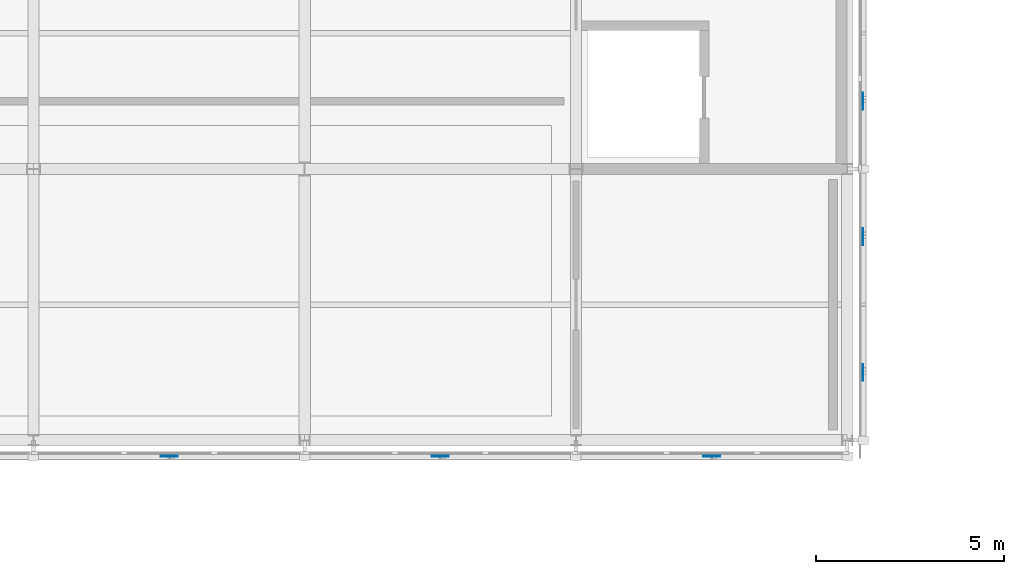
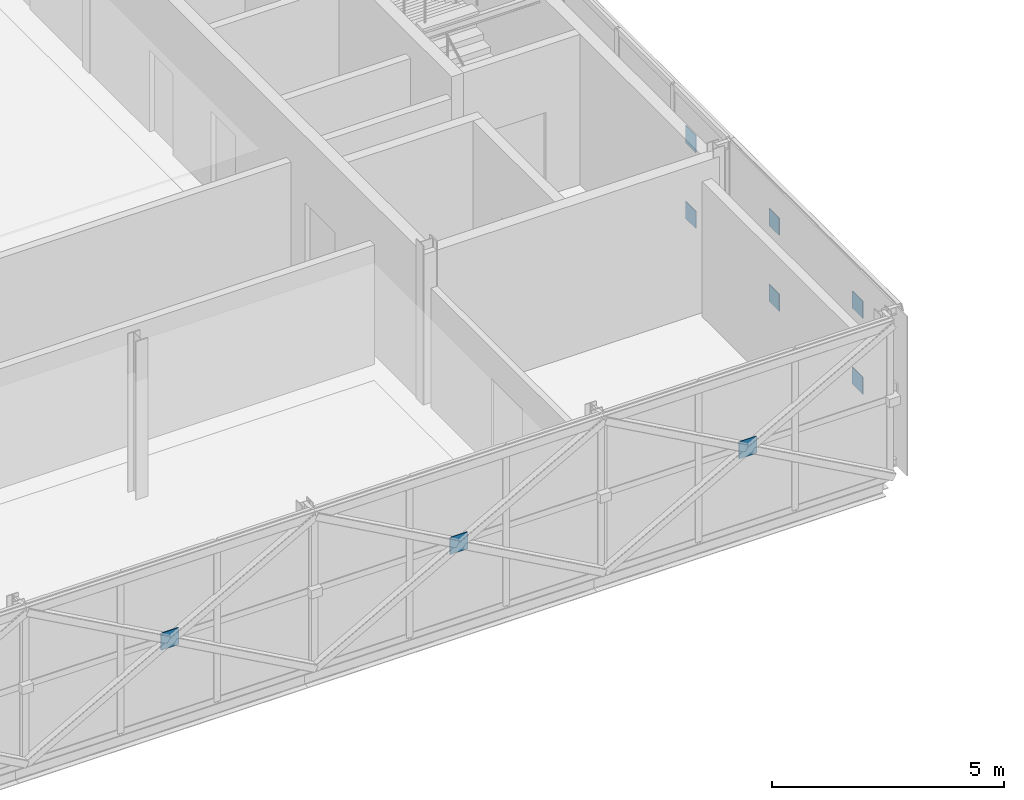
# One storey, part 82 of 103: 9 plates.
"""IFC4 building model written with IfcOpenShell, lengths in metres."""

from ifc_helpers import new_model, si_unit, direction, frame, origin, origin_2d, place, context, subcontext, project, spatial, rectangle, extrude, material, layer, layer_set, type_object, element, save


model = new_model("IFC4")

# Units and contexts
model_context = context("Model", 3, precision=1e-05, world=origin(), true_north=direction((0.0, 1.0)))
body_context = subcontext(model_context, "Body", "Model", "MODEL_VIEW")
ifc_project = project(units=[si_unit("LENGTHUNIT", "METRE"), si_unit("AREAUNIT", "SQUARE_METRE"), si_unit("VOLUMEUNIT", "CUBIC_METRE"), si_unit("PLANEANGLEUNIT", "RADIAN"), si_unit("MASSUNIT", "GRAM", prefix="KILO")], contexts=[model_context])

# Site, building, storey
site_placement = place(None, origin())
site = spatial("IfcSite", under=ifc_project, at=site_placement, CompositionType="ELEMENT")
building_placement = place(site_placement, origin())
building = spatial("IfcBuilding", under=site, at=building_placement, Name="Zlatovets Crest Museum", CompositionType="ELEMENT")
storey_placement = place(building_placement, frame((0.0, 0.0, 12.89990234375)))
storey = spatial("IfcBuildingStorey", under=building, at=storey_placement, Name="L03", CompositionType="ELEMENT", Elevation=12.89990234375)

# Plates
ifc_material = material(Name="Structural steel S355J2", Category="steel")
ifc_layer = layer(ifc_material, 0.02001953125)
ifc_layer_set = layer_set([ifc_layer], Name="Structural steel S355J2")
plate_type = type_object("IfcPlateType", Name="Gusset_GP-04", PredefinedType="USERDEFINED", material=ifc_layer_set)
for number, where, z_axis, x_axis, name in (
    (1, (90.0, 85.97998046875, 1.875), (0.0, 0.0, 1.0), (1.0, 0.0, 0.0), "X-Brace Crossing Node Gusset Plate GP-04"),
    (2, (97.199951171875, 85.97998046875, 1.875), (0.0, 0.0, 1.0), (1.0, 0.0, 0.0), "X-Brace Crossing Node Gusset Plate GP-04"),
    (3, (104.39990234375, 85.97998046875, 1.875), (0.0, 0.0, 1.0), (1.0, 0.0, 0.0), "X-Brace Crossing Node Gusset Plate GP-04"),
):
    element("IfcPlate", number, at=place(storey_placement, frame(where, z_axis=z_axis, x_axis=x_axis)), inside=storey, type_object=plate_type, Name=name, ObjectType="GUSSET", PredefinedType="USERDEFINED", context=body_context, shape_type="SweptSolid", body=[
        extrude(rectangle(XDim=0.449951171875, YDim=0.02001953125, at=origin_2d()), origin(), (0.0, 0.0, 1.0), 0.449951171875),
    ])
for number, where, z_axis, x_axis, name in (
    (4, (108.419921875, 88.199951171875, 0.875), (0.0, 0.0, 1.0), (1.0, 0.0, 0.0), "X-Brace Crossing Node Gusset Plate GP-04"),
    (5, (108.419921875, 91.800048828125, 0.875), (0.0, 0.0, 1.0), (1.0, 0.0, 0.0), "X-Brace Crossing Node Gusset Plate GP-04"),
    (6, (108.419921875, 88.199951171875, 2.875), (0.0, 0.0, 1.0), (1.0, 0.0, 0.0), "X-Brace Crossing Node Gusset Plate GP-04"),
    (7, (108.419921875, 91.800048828125, 2.875), (0.0, 0.0, 1.0), (1.0, 0.0, 0.0), "X-Brace Crossing Node Gusset Plate GP-04"),
    (8, (108.419921875, 95.39990234375, 0.875), (0.0, 0.0, 1.0), (1.0, 0.0, 0.0), "X-Brace Crossing Node Gusset Plate GP-04"),
    (9, (108.419921875, 95.39990234375, 2.875), (0.0, 0.0, 1.0), (1.0, 0.0, 0.0), "X-Brace Crossing Node Gusset Plate GP-04"),
):
    element("IfcPlate", number, at=place(storey_placement, frame(where, z_axis=z_axis, x_axis=x_axis)), inside=storey, type_object=plate_type, Name=name, ObjectType="GUSSET", PredefinedType="USERDEFINED", context=body_context, shape_type="SweptSolid", body=[
        extrude(rectangle(XDim=0.02001953125, YDim=0.449951171875, at=origin_2d()), origin(), (0.0, 0.0, 1.0), 0.449951171875),
    ])

save(model, "model.ifc")
